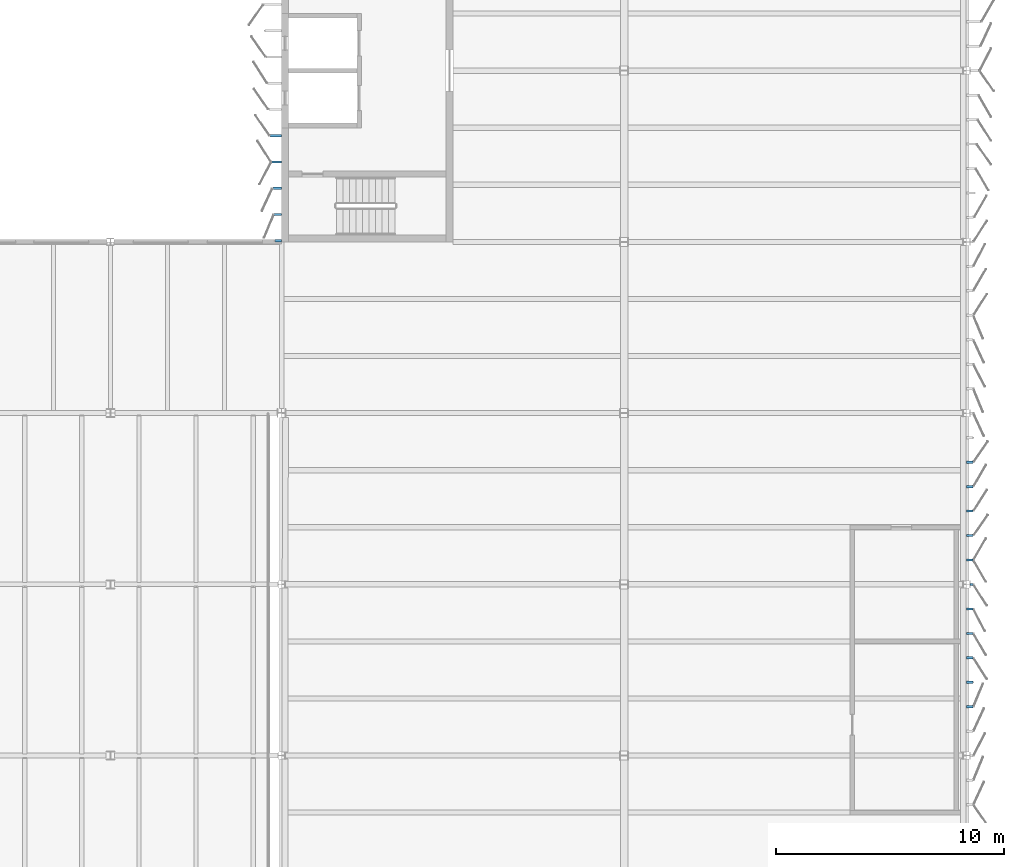
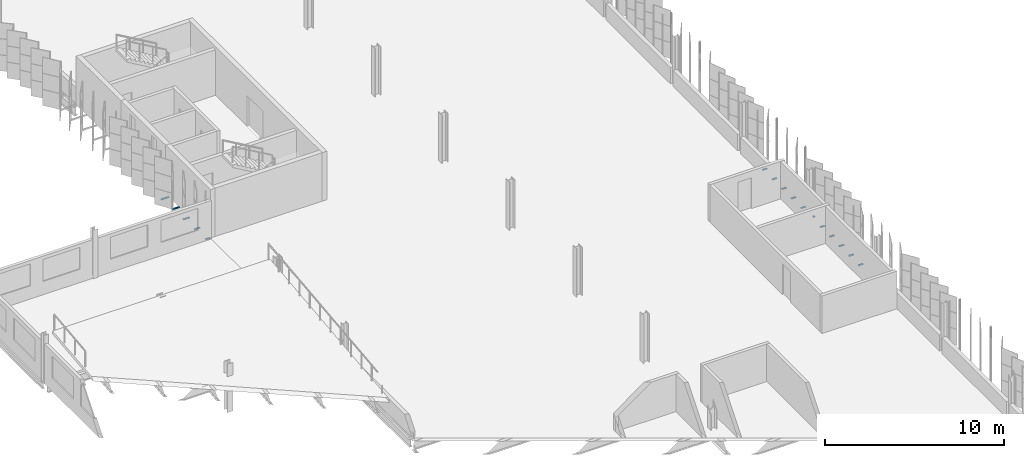
# One storey, part 183 of 214: 16 discrete accessories.
"""IFC4 building model written with IfcOpenShell, lengths in metres."""

from ifc_helpers import new_model, si_unit, direction, frame, origin, origin_2d, place, context, subcontext, project, spatial, rectangle, extrude, material, type_object, element, save


model = new_model("IFC4")

# Units and contexts
model_context = context("Model", 3, precision=1e-05, world=origin(), true_north=direction((0.0, 1.0)))
body_context = subcontext(model_context, "Body", "Model", "MODEL_VIEW")
ifc_project = project(units=[si_unit("LENGTHUNIT", "METRE"), si_unit("AREAUNIT", "SQUARE_METRE"), si_unit("VOLUMEUNIT", "CUBIC_METRE"), si_unit("PLANEANGLEUNIT", "RADIAN"), si_unit("MASSUNIT", "GRAM", prefix="KILO")], contexts=[model_context])

# Site, building, storey
site_placement = place(None, origin())
site = spatial("IfcSite", under=ifc_project, at=site_placement, CompositionType="ELEMENT")
building_placement = place(site_placement, origin())
building = spatial("IfcBuilding", under=site, at=building_placement, Name="Parallax Yard Mobility Hub", CompositionType="ELEMENT")
storey_placement = place(building_placement, frame((0.0, 0.0, 3.300048828125)))
storey = spatial("IfcBuildingStorey", under=building, at=storey_placement, Name="L01", CompositionType="ELEMENT", Elevation=3.300048828125)

# Discrete accessories
ifc_material = material(Name="Steel ASTM A36, hot-dip galvanised", Category="steel")
discrete_accessory_type = type_object("IfcDiscreteAccessoryType", Name="Hinge bracket plate 100x50", PredefinedType="BRACKET", material=ifc_material)
for number, where, z_axis, x_axis, name in (
    (1, (225.1416015625, 54.63525390625, -0.02490234375), (0.0, 0.0, 1.0), (1.0, 0.0, 0.0), "Hinge bracket plate bay 36.3 level L01"),
    (2, (225.1416015625, 55.70703125, -0.02490234375), (0.0, 0.0, 1.0), (1.0, 0.0, 0.0), "Hinge bracket plate bay 36.4 level L01"),
    (3, (225.1416015625, 56.77880859375, -0.02490234375), (0.0, 0.0, 1.0), (1.0, 0.0, 0.0), "Hinge bracket plate bay 36.5 level L01"),
    (4, (225.1416015625, 57.8505859375, -0.02490234375), (0.0, 0.0, 1.0), (1.0, 0.0, 0.0), "Hinge bracket plate bay 36.6 level L01"),
    (5, (225.1416015625, 58.922119140625, -0.02490234375), (0.0, 0.0, 1.0), (1.0, 0.0, 0.0), "Hinge bracket plate bay 36.7 level L01"),
):
    element("IfcDiscreteAccessory", number, at=place(storey_placement, frame(where, z_axis=z_axis, x_axis=x_axis)), inside=storey, type_object=discrete_accessory_type, Name=name, PredefinedType="BRACKET", context=body_context, shape_type="SweptSolid", body=[
        extrude(rectangle(XDim=0.2841796875, YDim=0.10009765625, at=origin_2d()), origin(), (0.0, 0.0, 1.0), 0.050048828125),
    ])
discrete_accessory_1_placement = place(storey_placement, frame((225.219482421875, 59.993896484375, -0.02490234375), z_axis=(0.0, 0.0, 1.0), x_axis=(1.0, 0.0, 0.0)))
element("IfcDiscreteAccessory", 6, at=discrete_accessory_1_placement, inside=storey, type_object=discrete_accessory_type, Name="Hinge bracket plate bay 37.1 level L01", PredefinedType="BRACKET", context=body_context, shape_type="SweptSolid", body=[
    extrude(rectangle(XDim=0.128173828125, YDim=0.10009765625, at=origin_2d()), origin(), (0.0, 0.0, 1.0), 0.050048828125),
])
for number, where, z_axis, x_axis, name in (
    (7, (225.1416015625, 61.065673828125, -0.02490234375), (0.0, 0.0, 1.0), (1.0, 0.0, 0.0), "Hinge bracket plate bay 37.2 level L01"),
    (8, (225.1416015625, 62.137451171875, -0.02490234375), (0.0, 0.0, 1.0), (1.0, 0.0, 0.0), "Hinge bracket plate bay 37.3 level L01"),
    (9, (225.1416015625, 63.209228515625, -0.02490234375), (0.0, 0.0, 1.0), (1.0, 0.0, 0.0), "Hinge bracket plate bay 37.4 level L01"),
    (10, (225.1416015625, 64.281005859375, -0.02490234375), (0.0, 0.0, 1.0), (1.0, 0.0, 0.0), "Hinge bracket plate bay 37.5 level L01"),
    (11, (225.1416015625, 65.3525390625, -0.02490234375), (0.0, 0.0, 1.0), (1.0, 0.0, 0.0), "Hinge bracket plate bay 37.6 level L01"),
):
    element("IfcDiscreteAccessory", number, at=place(storey_placement, frame(where, z_axis=z_axis, x_axis=x_axis)), inside=storey, type_object=discrete_accessory_type, Name=name, PredefinedType="BRACKET", context=body_context, shape_type="SweptSolid", body=[
        extrude(rectangle(XDim=0.2841796875, YDim=0.10009765625, at=origin_2d()), origin(), (0.0, 0.0, 1.0), 0.050048828125),
    ])
discrete_accessory_2_placement = place(storey_placement, frame((194.748291015625, 79.64794921875, -0.02490234375), z_axis=(0.0, 0.0, 1.0), x_axis=(-1.0, 0.0, 0.0)))
element("IfcDiscreteAccessory", 12, at=discrete_accessory_2_placement, inside=storey, type_object=discrete_accessory_type, Name="Hinge bracket plate bay 23.10 level L01", PredefinedType="BRACKET", context=body_context, shape_type="SweptSolid", body=[
    extrude(rectangle(XDim=0.50439453125, YDim=0.10009765625, at=origin_2d()), origin(), (0.0, 0.0, 1.0), 0.050048828125),
])
discrete_accessory_3_placement = place(storey_placement, frame((194.777099609375, 78.497802734375, -0.02490234375), z_axis=(0.0, 0.0, 1.0), x_axis=(-1.0, 0.0, 0.0)))
element("IfcDiscreteAccessory", 13, at=discrete_accessory_3_placement, inside=storey, type_object=discrete_accessory_type, Name="Hinge bracket plate bay 23.11 level L01", PredefinedType="BRACKET", context=body_context, shape_type="SweptSolid", body=[
    extrude(rectangle(XDim=0.447021484375, YDim=0.10009765625, at=origin_2d()), origin(), (0.0, 0.0, 1.0), 0.050048828125),
])
discrete_accessory_4_placement = place(storey_placement, frame((194.805908203125, 77.34765625, -0.02490234375), z_axis=(0.0, 0.0, 1.0), x_axis=(-1.0, 0.0, 0.0)))
element("IfcDiscreteAccessory", 14, at=discrete_accessory_4_placement, inside=storey, type_object=discrete_accessory_type, Name="Hinge bracket plate bay 23.12 level L01", PredefinedType="BRACKET", context=body_context, shape_type="SweptSolid", body=[
    extrude(rectangle(XDim=0.389404296875, YDim=0.10009765625, at=origin_2d()), origin(), (0.0, 0.0, 1.0), 0.050048828125),
])
discrete_accessory_5_placement = place(storey_placement, frame((194.834716796875, 76.197509765625, -0.02490234375), z_axis=(0.0, 0.0, 1.0), x_axis=(-1.0, 0.0, 0.0)))
element("IfcDiscreteAccessory", 15, at=discrete_accessory_5_placement, inside=storey, type_object=discrete_accessory_type, Name="Hinge bracket plate bay 23.13 level L01", PredefinedType="BRACKET", context=body_context, shape_type="SweptSolid", body=[
    extrude(rectangle(XDim=0.331787109375, YDim=0.10009765625, at=origin_2d()), origin(), (0.0, 0.0, 1.0), 0.050048828125),
])
discrete_accessory_6_placement = place(storey_placement, frame((194.8583984375, 75.047119140625, -0.02490234375), z_axis=(0.0, 0.0, 1.0), x_axis=(-1.0, 0.0, 0.0)))
element("IfcDiscreteAccessory", 16, at=discrete_accessory_6_placement, inside=storey, type_object=discrete_accessory_type, Name="Hinge bracket plate bay 23.14 level L01", PredefinedType="BRACKET", context=body_context, shape_type="SweptSolid", body=[
    extrude(rectangle(XDim=0.2841796875, YDim=0.10009765625, at=origin_2d()), origin(), (0.0, 0.0, 1.0), 0.050048828125),
])

save(model, "model.ifc")
